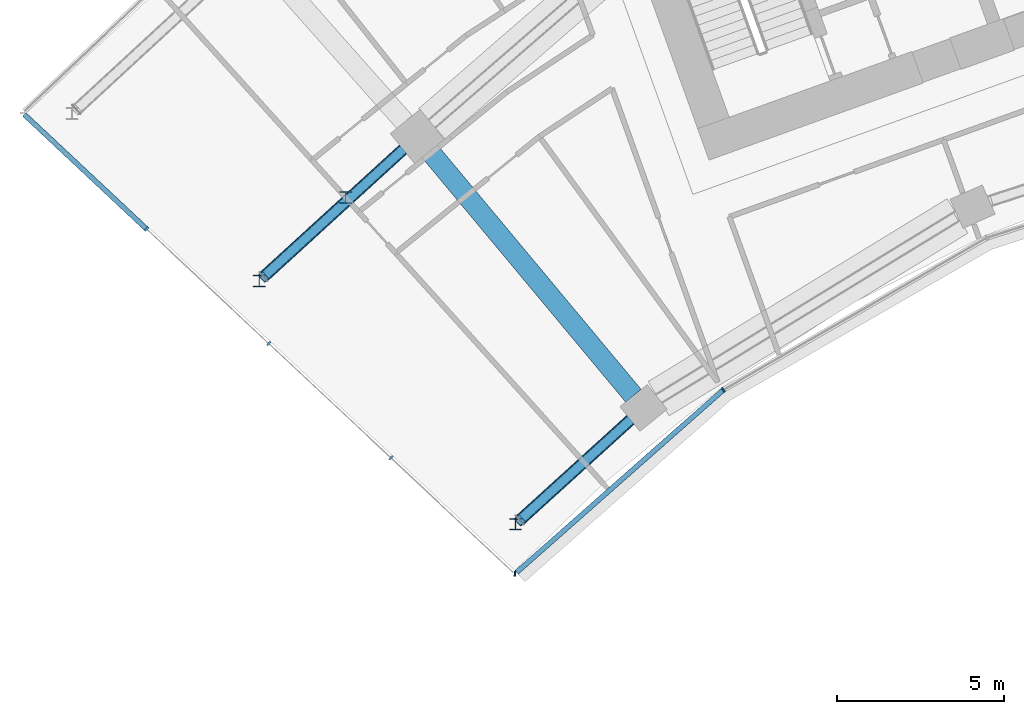
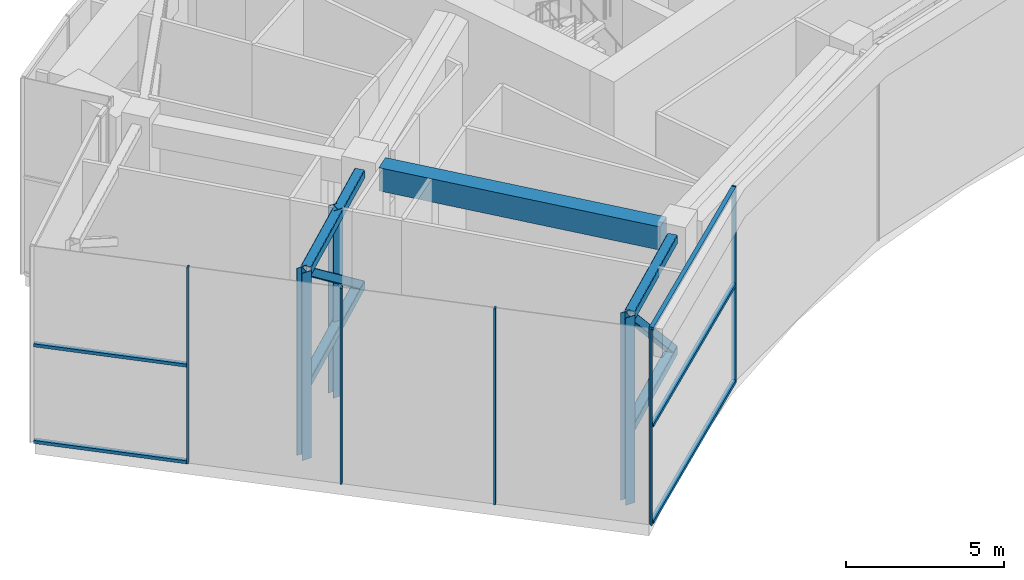
# One storey, part 2 of 26: 19 members, 1 beam, 2 elements without a shape of their own.
"""IFC4 building model written with IfcOpenShell, lengths in metres."""

from ifc_helpers import new_model, si_unit, direction, frame, origin, origin_2d, place, context, subcontext, project, spatial, rectangle, hollow_rectangle, i_section, extrude, material, layer, layer_set, material_profile, profile_set, type_object, element, aggregate, save


model = new_model("IFC4")

# Units and contexts
model_context = context("Model", 3, precision=1e-05, world=origin(), true_north=direction((0.0, 1.0)))
body_context = subcontext(model_context, "Body", "Model", "MODEL_VIEW")
ifc_project = project(units=[si_unit("LENGTHUNIT", "METRE"), si_unit("AREAUNIT", "SQUARE_METRE"), si_unit("VOLUMEUNIT", "CUBIC_METRE"), si_unit("PLANEANGLEUNIT", "RADIAN"), si_unit("MASSUNIT", "GRAM", prefix="KILO")], contexts=[model_context])

# Site, building, storey
site_placement = place(None, origin())
site = spatial("IfcSite", under=ifc_project, at=site_placement, CompositionType="ELEMENT")
building_placement = place(site_placement, origin())
building = spatial("IfcBuilding", under=site, at=building_placement, Name="Stone Belt Terrace Tower", CompositionType="ELEMENT")
storey_placement = place(building_placement, frame((0.0, 0.0, 250.39990234375)))
storey = spatial("IfcBuildingStorey", under=building, at=storey_placement, Name="L61", CompositionType="ELEMENT", Elevation=250.39990234375)

# Curtain wall, members
ifc_material_1 = material(Name="Aluminium 6063-T6 anodised frame", Category="aluminium")
ifc_layer_1 = layer(ifc_material_1, 0.14990234375)
ifc_layer_set_1 = layer_set([ifc_layer_1], Name="CW-B unitised concave-face curtain wall")
curtain_wall_type_1 = type_object("IfcCurtainWallType", Name="CW-B unitised concave-face curtain wall", PredefinedType="NOTDEFINED", material=ifc_layer_set_1)
curtain_wall_1_placement = place(storey_placement, origin())
curtain_wall_1 = element("IfcCurtainWall", 1, at=curtain_wall_1_placement, inside=storey, type_object=curtain_wall_type_1, Name="CW-B concave face L61", PredefinedType="NOTDEFINED")
ifc_material_profile_1 = material_profile(ifc_material_1, rectangle(XDim=0.14990234375, YDim=0.050048828125, at=origin_2d()), Name="Aluminium 6063-T6 50x150")
ifc_profile_set_1 = profile_set([ifc_material_profile_1], Name="Aluminium 6063-T6 anodised frame")
member_type_1 = type_object("IfcMemberType", Name="CW-B mullion 50 x 150", PredefinedType="MULLION", material=ifc_profile_set_1)
member_1_placement = place(storey_placement, frame((-31.75244140625, 29.633056640625, 0.0), z_axis=(0.0, 0.0, 1.0), x_axis=(0.014681639593, 0.999892218921, 0.0)))
member_1 = element("IfcMember", 2, at=member_1_placement, type_object=member_type_1, Name="CW-B mullion 1", PredefinedType="MULLION", context=body_context, shape_type="SweptSolid", body=[
    extrude(rectangle(XDim=0.14990234375, YDim=0.050048828125, at=origin_2d()), origin(), (0.0, 0.0, 1.0), 7.60009765625),
])
member_2_placement = place(storey_placement, frame((-25.524658203125, 35.131103515625, 0.0), z_axis=(0.0, 0.0, 1.0), x_axis=(-0.583818854632, 0.811883947973, 0.0)))
member_2 = element("IfcMember", 3, at=member_2_placement, type_object=member_type_1, Name="CW-B mullion 2", PredefinedType="MULLION", context=body_context, shape_type="SweptSolid", body=[
    extrude(rectangle(XDim=0.14990234375, YDim=0.050048828125, at=origin_2d()), origin(), (0.0, 0.0, 1.0), 7.60009765625),
])
ifc_material_profile_2 = material_profile(ifc_material_1, rectangle(XDim=0.14990234375, YDim=0.1201171875, at=origin_2d()), Name="Aluminium 6063-T6 150x120")
ifc_profile_set_2 = profile_set([ifc_material_profile_2], Name="Aluminium 6063-T6 anodised frame")
member_type_2 = type_object("IfcMemberType", Name="CW-B transom 120 x 150", PredefinedType="USERDEFINED", material=ifc_profile_set_2)
member_3_placement = place(storey_placement, frame((-31.70068359375, 29.6787109375, 0.06005859375), z_axis=(0.749668527307, 0.661813492735, 0.0), x_axis=(-0.661813492735, 0.749668527307, 0.0)))
member_3 = element("IfcMember", 4, at=member_3_placement, type_object=member_type_2, Name="CW-B transom 1.1", ObjectType="TRANSOM", PredefinedType="USERDEFINED", context=body_context, shape_type="SweptSolid", body=[
    extrude(rectangle(XDim=0.14990234375, YDim=0.1201171875, at=origin_2d()), origin(), (0.0, 0.0, 1.0), 8.2060546875),
])
member_4_placement = place(storey_placement, frame((-31.70068359375, 29.6787109375, 3.800048828125), z_axis=(0.749668527307, 0.661813492735, 0.0), x_axis=(-0.661813492735, 0.749668527307, 0.0)))
member_4 = element("IfcMember", 5, at=member_4_placement, type_object=member_type_2, Name="CW-B transom 1.2", ObjectType="TRANSOM", PredefinedType="USERDEFINED", context=body_context, shape_type="SweptSolid", body=[
    extrude(rectangle(XDim=0.14990234375, YDim=0.1201171875, at=origin_2d()), origin(), (0.0, 0.0, 1.0), 8.2060546875),
])
member_5_placement = place(storey_placement, frame((-31.70068359375, 29.6787109375, 7.5400390625), z_axis=(0.749668527307, 0.661813492735, 0.0), x_axis=(-0.661813492735, 0.749668527307, 0.0)))
member_5 = element("IfcMember", 6, at=member_5_placement, type_object=member_type_2, Name="CW-B transom 1.3", ObjectType="TRANSOM", PredefinedType="USERDEFINED", context=body_context, shape_type="SweptSolid", body=[
    extrude(rectangle(XDim=0.14990234375, YDim=0.1201171875, at=origin_2d()), origin(), (0.0, 0.0, 1.0), 8.2060546875),
])
aggregate(curtain_wall_1, [member_1, member_2, member_3, member_4, member_5])

ifc_layer_2 = layer(ifc_material_1, 0.14990234375)
ifc_layer_set_2 = layer_set([ifc_layer_2], Name="CW-C stick curtain wall, horn ends and notches")
curtain_wall_type_2 = type_object("IfcCurtainWallType", Name="CW-C stick curtain wall, horn ends and notches", PredefinedType="NOTDEFINED", material=ifc_layer_set_2)
curtain_wall_2_placement = place(storey_placement, origin())
curtain_wall_2 = element("IfcCurtainWall", 7, at=curtain_wall_2_placement, inside=storey, type_object=curtain_wall_type_2, Name="CW-C end face L61", PredefinedType="NOTDEFINED")
ifc_material_profile_3 = material_profile(ifc_material_1, rectangle(XDim=0.14990234375, YDim=0.06005859375, at=origin_2d()), Name="Aluminium 6063-T6 60x150")
ifc_profile_set_3 = profile_set([ifc_material_profile_3], Name="Aluminium 6063-T6 anodised frame")
member_type_3 = type_object("IfcMemberType", Name="CW-C mullion 60 x 150", PredefinedType="MULLION", material=ifc_profile_set_3)
member_6_placement = place(storey_placement, frame((-42.750732421875, 39.932861328125, 0.0), z_axis=(0.0, 0.0, 1.0), x_axis=(0.683549434973, 0.729904219708, 0.0)))
member_6 = element("IfcMember", 8, at=member_6_placement, type_object=member_type_3, Name="CW-C mullion 2", PredefinedType="MULLION", context=body_context, shape_type="SweptSolid", body=[
    extrude(rectangle(XDim=0.14990234375, YDim=0.06005859375, at=origin_2d()), origin(), (0.0, 0.0, 1.0), 7.60009765625),
])
member_7_placement = place(storey_placement, frame((-39.10107421875, 36.51513671875, 0.0), z_axis=(0.0, 0.0, 1.0), x_axis=(0.683549434973, 0.729904219708, 0.0)))
member_7 = element("IfcMember", 9, at=member_7_placement, type_object=member_type_3, Name="CW-C mullion 3", PredefinedType="MULLION", context=body_context, shape_type="SweptSolid", body=[
    extrude(rectangle(XDim=0.14990234375, YDim=0.06005859375, at=origin_2d()), origin(), (0.0, 0.0, 1.0), 7.60009765625),
])
member_8_placement = place(storey_placement, frame((-35.45166015625, 33.097412109375, 0.0), z_axis=(0.0, 0.0, 1.0), x_axis=(0.683549434973, 0.729904219708, 0.0)))
member_8 = element("IfcMember", 10, at=member_8_placement, type_object=member_type_3, Name="CW-C mullion 4", PredefinedType="MULLION", context=body_context, shape_type="SweptSolid", body=[
    extrude(rectangle(XDim=0.14990234375, YDim=0.06005859375, at=origin_2d()), origin(), (0.0, 0.0, 1.0), 7.60009765625),
])
ifc_material_profile_4 = material_profile(ifc_material_1, rectangle(XDim=0.14990234375, YDim=0.1201171875, at=origin_2d()), Name="Aluminium 6063-T6 150x120")
ifc_profile_set_4 = profile_set([ifc_material_profile_4], Name="Aluminium 6063-T6 anodised frame")
member_type_4 = type_object("IfcMemberType", Name="CW-C transom 120 x 150", PredefinedType="USERDEFINED", material=ifc_profile_set_4)
member_9_placement = place(storey_placement, frame((-46.4033203125, 43.353515625, 0.06005859375), z_axis=(0.729916670431, -0.683536139664, 0.0), x_axis=(0.683536139664, 0.729916670431, 0.0)))
member_9 = element("IfcMember", 11, at=member_9_placement, type_object=member_type_4, Name="CW-C transom 1.1", ObjectType="TRANSOM", PredefinedType="USERDEFINED", context=body_context, shape_type="SweptSolid", body=[
    extrude(rectangle(XDim=0.14990234375, YDim=0.1201171875, at=origin_2d()), origin(), (0.0, 0.0, 1.0), 4.974365234375),
])
member_10_placement = place(storey_placement, frame((-46.4033203125, 43.353515625, 3.800048828125), z_axis=(0.729916670431, -0.683536139664, 0.0), x_axis=(0.683536139664, 0.729916670431, 0.0)))
member_10 = element("IfcMember", 12, at=member_10_placement, type_object=member_type_4, Name="CW-C transom 1.2", ObjectType="TRANSOM", PredefinedType="USERDEFINED", context=body_context, shape_type="SweptSolid", body=[
    extrude(rectangle(XDim=0.14990234375, YDim=0.1201171875, at=origin_2d()), origin(), (0.0, 0.0, 1.0), 4.974365234375),
])
aggregate(curtain_wall_2, [member_6, member_7, member_8, member_9, member_10])

# Beam
ifc_material_2 = material(Name="Concrete B60", Category="concrete")
ifc_material_profile_5 = material_profile(ifc_material_2, rectangle(XDim=0.60009765625, YDim=0.89990234375, at=origin_2d()), Name="RC 600x900")
ifc_profile_set_5 = profile_set([ifc_material_profile_5], Name="Concrete B60")
beam_type = type_object("IfcBeamType", Name="Edge beam RC 600x900 B60", PredefinedType="SPANDREL", material=ifc_profile_set_5)
beam_placement = place(storey_placement, frame((-28.211669921875, 34.955810546875, 6.800048828125), z_axis=(-0.640174294825, 0.768229700185, 0.0), x_axis=(-0.768229700185, -0.640174294825, 0.0)))
element("IfcBeam", 13, at=beam_placement, inside=storey, type_object=beam_type, Name="Edge beam L61 A P to Q", PredefinedType="SPANDREL", context=body_context, shape_type="SweptSolid", body=[
    extrude(rectangle(XDim=0.60009765625, YDim=0.89990234375, at=origin_2d()), origin(), (0.0, 0.0, 1.0), 9.505859375),
])

# Members
ifc_material_3 = material(Name="Structural steel C345", Category="steel")
ifc_material_profile_6 = material_profile(ifc_material_3, hollow_rectangle(XDim=0.35009765625, YDim=0.35009765625, WallThickness=0.01611328125, InnerFilletRadius=0.031982421875, OuterFilletRadius=0.048095703125, at=origin_2d()), Name="SHS 350x350x16")
ifc_profile_set_6 = profile_set([ifc_material_profile_6], Name="Structural steel C345")
member_type_5 = type_object("IfcMemberType", Name="Outrigger chord SHS 350x350x16", PredefinedType="CHORD", material=ifc_profile_set_6)
for number, where, z_axis, x_axis, name in (
    (14, (-31.59130859375, 31.2470703125, 7.0751953125), (0.740441448947, 0.672120867613, 0.0), (-0.672120867613, 0.740441448947, 0.0), "Outrigger T4 Pw top chord 1"),
    (15, (-31.59130859375, 31.2470703125, 2.775146484375), (0.740441448947, 0.672120867613, 0.0), (-0.672120867613, 0.740441448947, 0.0), "Outrigger T4 Pw bot chord 1"),
):
    element("IfcMember", number, at=place(storey_placement, frame(where, z_axis=z_axis, x_axis=x_axis)), inside=storey, type_object=member_type_5, Name=name, PredefinedType="CHORD", context=body_context, shape_type="SweptSolid", body=[
        extrude(hollow_rectangle(XDim=0.35009765625, YDim=0.35009765625, WallThickness=0.01611328125, InnerFilletRadius=0.031982421875, OuterFilletRadius=0.048095703125, at=origin_2d()), origin(), (0.0, 0.0, 1.0), 4.448974609375),
    ])
for number, where, z_axis, x_axis, name in (
    (16, (-39.2451171875, 38.517822265625, 7.0751953125), (0.738404698654, 0.674357843438, 0.0), (-0.674357843438, 0.738404698654, 0.0), "Outrigger T4 Qw top chord 1"),
    (17, (-39.2451171875, 38.517822265625, 2.775146484375), (0.738404698654, 0.674357843438, 0.0), (-0.674357843438, 0.738404698654, 0.0), "Outrigger T4 Qw bot chord 1"),
):
    element("IfcMember", number, at=place(storey_placement, frame(where, z_axis=z_axis, x_axis=x_axis)), inside=storey, type_object=member_type_5, Name=name, PredefinedType="CHORD", context=body_context, shape_type="SweptSolid", body=[
        extrude(hollow_rectangle(XDim=0.35009765625, YDim=0.35009765625, WallThickness=0.01611328125, InnerFilletRadius=0.031982421875, OuterFilletRadius=0.048095703125, at=origin_2d()), origin(), (0.0, 0.0, 1.0), 5.62646484375),
    ])
ifc_material_profile_7 = material_profile(ifc_material_3, hollow_rectangle(XDim=0.300048828125, YDim=0.300048828125, WallThickness=0.011962890625, InnerFilletRadius=0.02392578125, OuterFilletRadius=0.035888671875, at=origin_2d()), Name="SHS 300x300x12")
ifc_profile_set_7 = profile_set([ifc_material_profile_7], Name="Structural steel C345")
member_type_6 = type_object("IfcMemberType", Name="Outrigger diagonal SHS 300x300x12", PredefinedType="BRACE", material=ifc_profile_set_7)
member_11_placement = place(storey_placement, frame((-31.606201171875, 31.233642578125, 7.0751953125), z_axis=(0.53356726174, 0.4843203498, -0.693354004798), x_axis=(-0.672109739981, 0.740451549679, 0.0)))
element("IfcMember", 18, at=member_11_placement, inside=storey, type_object=member_type_6, Name="Outrigger T4 Pw diagonal 1", PredefinedType="BRACE", context=body_context, shape_type="SweptSolid", body=[
    extrude(hollow_rectangle(XDim=0.300048828125, YDim=0.300048828125, WallThickness=0.011962890625, InnerFilletRadius=0.02392578125, OuterFilletRadius=0.035888671875, at=origin_2d()), origin(), (0.0, 0.0, 1.0), 6.201904296875),
])
member_12_placement = place(storey_placement, frame((-39.260009765625, 38.50439453125, 7.0751953125), z_axis=(0.587462452775, 0.536483453184, -0.60586580283), x_axis=(-0.674341127139, 0.738419964688, 0.0)))
element("IfcMember", 19, at=member_12_placement, inside=storey, type_object=member_type_6, Name="Outrigger T4 Qw diagonal 1", PredefinedType="BRACE", context=body_context, shape_type="SweptSolid", body=[
    extrude(hollow_rectangle(XDim=0.300048828125, YDim=0.300048828125, WallThickness=0.011962890625, InnerFilletRadius=0.02392578125, OuterFilletRadius=0.035888671875, at=origin_2d()), origin(), (0.0, 0.0, 1.0), 7.097412109375),
])
ifc_material_profile_8 = material_profile(ifc_material_3, i_section(OverallWidth=0.347900390625, OverallDepth=0.342041015625, WebThickness=0.010009765625, FlangeThickness=0.014892578125, at=origin_2d()), Name="I 35K1")
ifc_profile_set_8 = profile_set([ifc_material_profile_8], Name="Structural steel C345")
member_type_7 = type_object("IfcMemberType", Name="Outrigger post I 35K1", PredefinedType="POST", material=ifc_profile_set_8)
for number, where, z_axis, x_axis, name in (
    (20, (-31.73486328125, 31.11669921875, 0.0), (0.0, 0.0, 1.0), (1.0, 0.0, 0.0), "Outrigger T4 Pw tip post"),
    (21, (-39.38818359375, 38.386962890625, 0.0), (0.0, 0.0, 1.0), (1.0, 0.0, 0.0), "Outrigger T4 Qw tip post"),
    (22, (-36.80224609375, 40.873046875, 0.0), (0.0, 0.0, 1.0), (1.0, 0.0, 0.0), "Outrigger T4 Qw post under column Q15"),
):
    element("IfcMember", number, at=place(storey_placement, frame(where, z_axis=z_axis, x_axis=x_axis)), inside=storey, type_object=member_type_7, Name=name, PredefinedType="POST", context=body_context, shape_type="SweptSolid", body=[
        extrude(i_section(OverallWidth=0.347900390625, OverallDepth=0.342041015625, WebThickness=0.010009765625, FlangeThickness=0.014892578125, at=origin_2d()), origin(), (0.0, 0.0, 1.0), 7.25),
    ])

save(model, "model.ifc")
